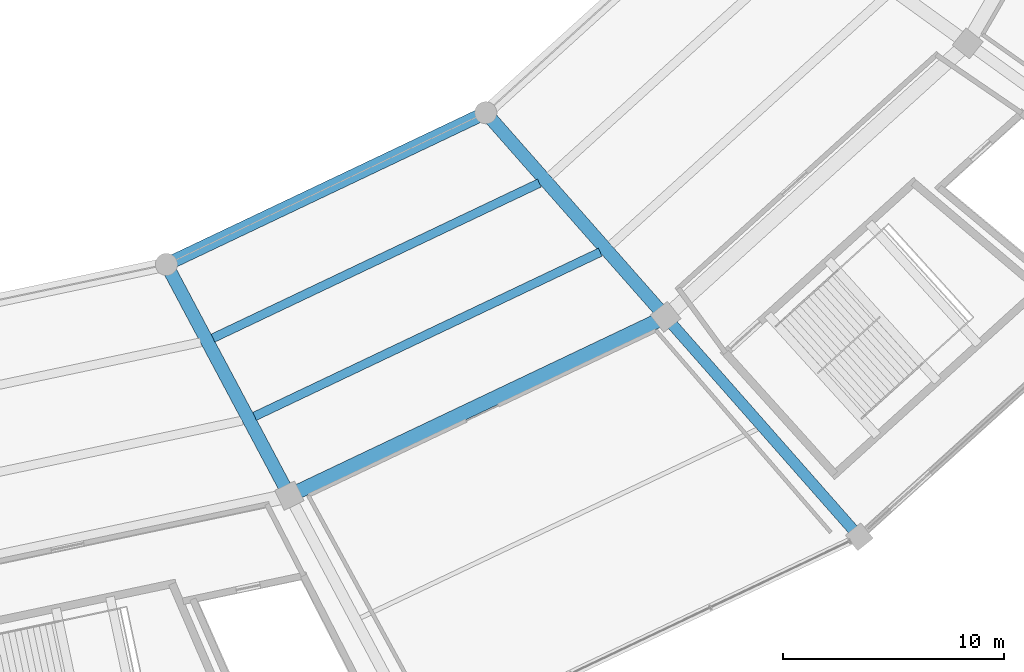
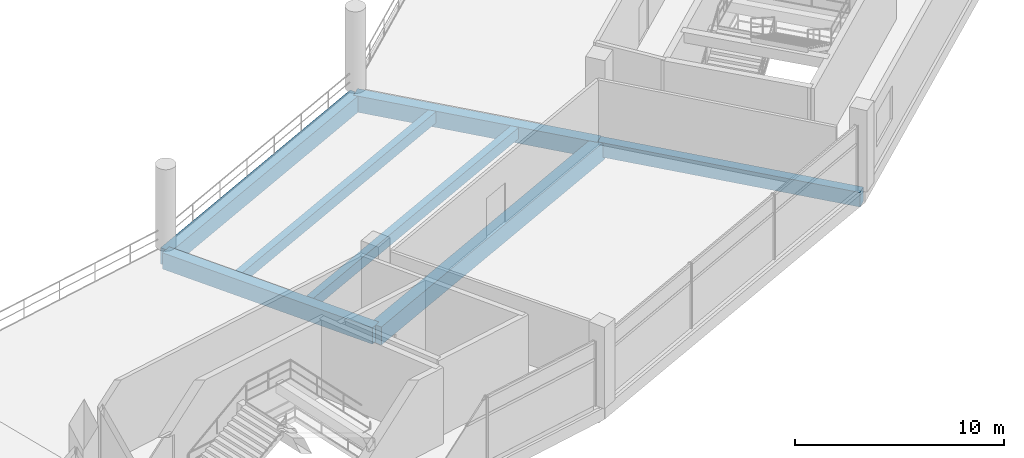
# One storey, part 56 of 171: 7 beams.
"""IFC4 building model written with IfcOpenShell, lengths in metres."""

from ifc_helpers import new_model, si_unit, direction, frame, origin, origin_2d, place, context, subcontext, project, spatial, rectangle, extrude, material, material_profile, profile_set, type_object, element, save


model = new_model("IFC4")

# Units and contexts
model_context = context("Model", 3, precision=1e-05, world=origin(), true_north=direction((0.0, 1.0)))
body_context = subcontext(model_context, "Body", "Model", "MODEL_VIEW")
ifc_project = project(units=[si_unit("LENGTHUNIT", "METRE"), si_unit("AREAUNIT", "SQUARE_METRE"), si_unit("VOLUMEUNIT", "CUBIC_METRE"), si_unit("PLANEANGLEUNIT", "RADIAN"), si_unit("MASSUNIT", "GRAM", prefix="KILO")], contexts=[model_context])

# Site, building, storey
site_placement = place(None, origin())
site = spatial("IfcSite", under=ifc_project, at=site_placement, CompositionType="ELEMENT")
building_placement = place(site_placement, origin())
building = spatial("IfcBuilding", under=site, at=building_placement, Name="Kazemori Nagisa Stadium", CompositionType="ELEMENT")
storey_placement = place(building_placement, frame((0.0, 0.0, 15.639892578125)))
storey = spatial("IfcBuildingStorey", under=building, at=storey_placement, Name="L03", CompositionType="ELEMENT", Elevation=15.639892578125)

# Beams
ifc_material = material(Name="Concrete C40/50 (Fc42)", Category="concrete")
ifc_material_profile_1 = material_profile(ifc_material, rectangle(XDim=0.5, YDim=0.85009765625, at=origin_2d()), Name="RC-BM-500x850")
ifc_profile_set_1 = profile_set([ifc_material_profile_1], Name="Concrete C40/50 (Fc42)")
beam_type_1 = type_object("IfcBeamType", Name="Beam_BG-RC500X850", PredefinedType="BEAM", material=ifc_profile_set_1)
beam_1_placement = place(storey_placement, frame((176.834228515625, 40.88916015625, -0.684814453125), z_axis=(0.661019680997, -0.750368563664, 0.0), x_axis=(0.750368563664, 0.661019680997, 0.0)))
element("IfcBeam", 1, at=beam_1_placement, inside=storey, type_object=beam_type_1, Name="Radial girder BG-RC500X850 L03 R2-R3-25", PredefinedType="BEAM", context=body_context, shape_type="SweptSolid", body=[
    extrude(rectangle(XDim=0.5, YDim=0.85009765625, at=origin_2d()), origin(), (0.0, 0.0, 1.0), 13.2578125),
])
ifc_material_profile_2 = material_profile(ifc_material, rectangle(XDim=0.60009765625, YDim=0.949951171875, at=origin_2d()), Name="RC-BM-600x950")
ifc_profile_set_2 = profile_set([ifc_material_profile_2], Name="Concrete C40/50 (Fc42)")
beam_type_2 = type_object("IfcBeamType", Name="Beam_BG-RC600X950", PredefinedType="BEAM", material=ifc_profile_set_2)
beam_2_placement = place(storey_placement, frame((154.24755859375, 43.260986328125, -0.73486328125), z_axis=(0.903211989129, 0.429194714196, 0.0), x_axis=(-0.429194714196, 0.903211989129, 0.0)))
element("IfcBeam", 2, at=beam_2_placement, inside=storey, type_object=beam_type_2, Name="Ring girder BG-RC600X950 L03 R1-24", PredefinedType="BEAM", context=body_context, shape_type="SweptSolid", body=[
    extrude(rectangle(XDim=0.60009765625, YDim=0.949951171875, at=origin_2d()), origin(), (0.0, 0.0, 1.0), 15.997314453125),
])
beam_3_placement = place(storey_placement, frame((154.24755859375, 43.260986328125, -0.73486328125), z_axis=(0.469646804203, -0.882854393036, 0.0), x_axis=(0.882854393036, 0.469646804203, 0.0)))
element("IfcBeam", 3, at=beam_3_placement, inside=storey, type_object=beam_type_2, Name="Radial girder BG-RC600X950 L03 R1-R2-24", PredefinedType="BEAM", context=body_context, shape_type="SweptSolid", body=[
    extrude(rectangle(XDim=0.60009765625, YDim=0.949951171875, at=origin_2d()), origin(), (0.0, 0.0, 1.0), 11.84814453125),
])
beam_4_placement = place(storey_placement, frame((168.696533203125, 50.126953125, -0.73486328125), z_axis=(0.66101406015, -0.75037351518, 0.0), x_axis=(0.75037351518, 0.66101406015, 0.0)))
element("IfcBeam", 4, at=beam_4_placement, inside=storey, type_object=beam_type_2, Name="Radial girder BG-RC600X950 L03 R1-R2-25", PredefinedType="BEAM", context=body_context, shape_type="SweptSolid", body=[
    extrude(rectangle(XDim=0.60009765625, YDim=0.949951171875, at=origin_2d()), origin(), (0.0, 0.0, 1.0), 12.31103515625),
])
ifc_material_profile_3 = material_profile(ifc_material, rectangle(XDim=0.64990234375, YDim=1.050048828125, at=origin_2d()), Name="RC-BM-650x1050")
ifc_profile_set_3 = profile_set([ifc_material_profile_3], Name="Concrete C40/50 (Fc42)")
beam_type_3 = type_object("IfcBeamType", Name="Beam_BG-RC650X1050", PredefinedType="BEAM", material=ifc_profile_set_3)
beam_5_placement = place(storey_placement, frame((159.81201171875, 32.80078125, -0.784912109375), z_axis=(0.90321938295, 0.42917915404, 0.0), x_axis=(-0.42917915404, 0.90321938295, 0.0)))
element("IfcBeam", 5, at=beam_5_placement, inside=storey, type_object=beam_type_3, Name="Ring girder BG-RC650X1050 L03 R2-24", PredefinedType="BEAM", context=body_context, shape_type="SweptSolid", body=[
    extrude(rectangle(XDim=0.64990234375, YDim=1.050048828125, at=origin_2d()), origin(), (0.0, 0.0, 1.0), 18.84619140625),
])
ifc_material_profile_4 = material_profile(ifc_material, rectangle(XDim=0.39990234375, YDim=0.64990234375, at=origin_2d()), Name="RC-BM-400x650")
ifc_profile_set_4 = profile_set([ifc_material_profile_4], Name="Concrete C40/50 (Fc42)")
beam_type_4 = type_object("IfcBeamType", Name="Beam_BJ-RC400X650", PredefinedType="JOIST", material=ifc_profile_set_4)
beam_6_placement = place(storey_placement, frame((156.3544921875, 39.927734375, -0.5849609375), z_axis=(0.903215717065, 0.429186868912, 0.0), x_axis=(-0.429186868912, 0.903215717065, 0.0)))
element("IfcBeam", 6, at=beam_6_placement, inside=storey, type_object=beam_type_4, Name="Concourse joist BJ-RC400X650 L03 B24-1", PredefinedType="JOIST", context=body_context, shape_type="SweptSolid", body=[
    extrude(rectangle(XDim=0.39990234375, YDim=0.64990234375, at=origin_2d()), origin(), (0.0, 0.0, 1.0), 16.349609375),
])
beam_7_placement = place(storey_placement, frame((158.23779296875, 36.38720703125, -0.5849609375), z_axis=(0.903215468459, 0.429187392099, 0.0), x_axis=(-0.429187392099, 0.903215468459, 0.0)))
element("IfcBeam", 7, at=beam_7_placement, inside=storey, type_object=beam_type_4, Name="Concourse joist BJ-RC400X650 L03 B24-2", PredefinedType="JOIST", context=body_context, shape_type="SweptSolid", body=[
    extrude(rectangle(XDim=0.39990234375, YDim=0.64990234375, at=origin_2d()), origin(), (0.0, 0.0, 1.0), 17.31396484375),
])

save(model, "model.ifc")
